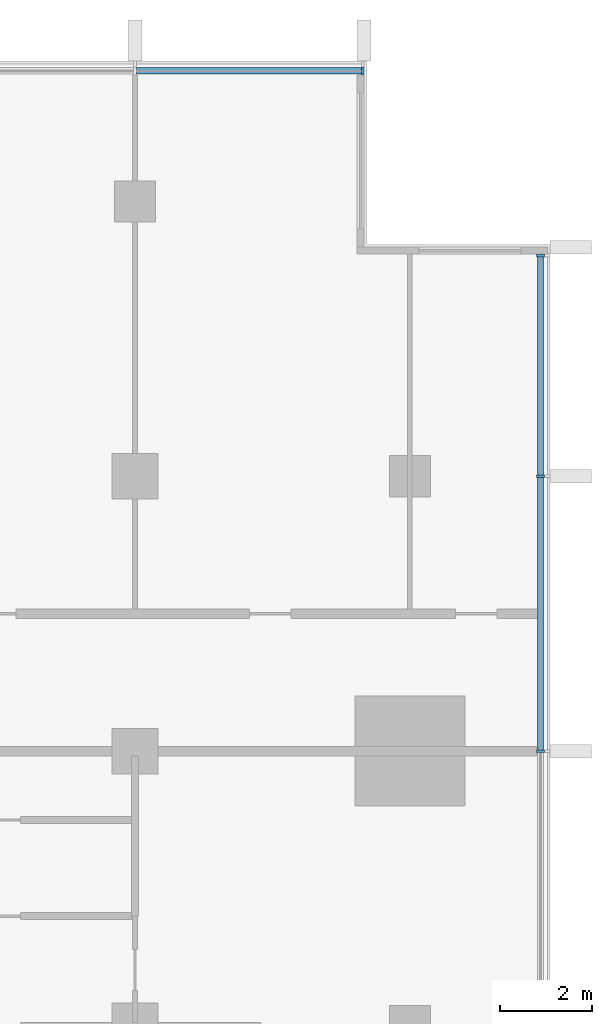
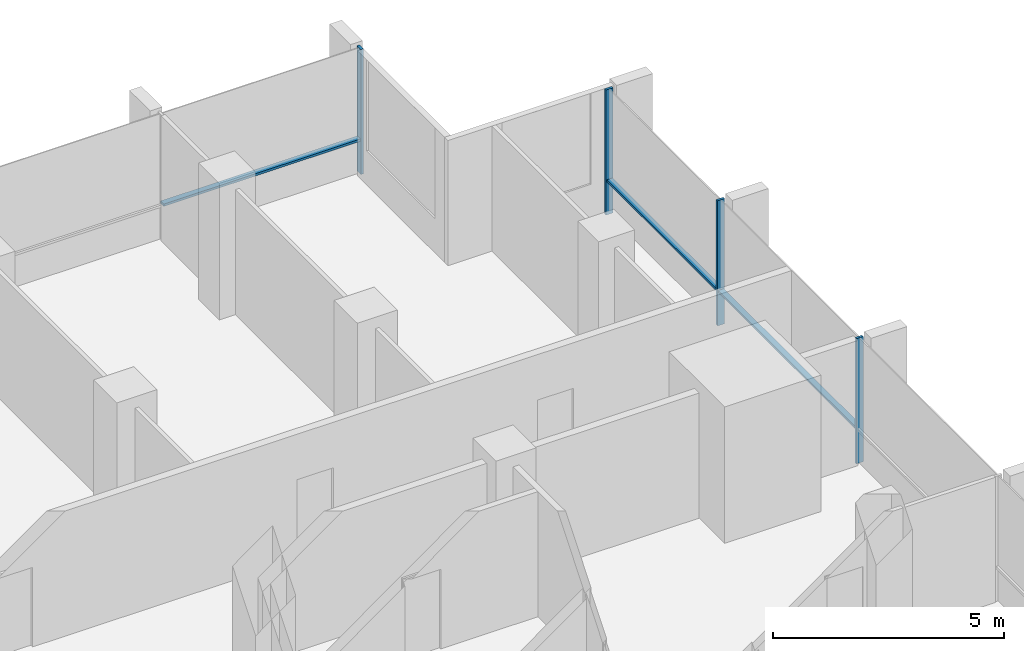
# One storey, part 5 of 16: 7 members, 2 elements without a shape of their own.
"""IFC4 building model written with IfcOpenShell, lengths in metres."""

from ifc_helpers import new_model, si_unit, direction, frame, origin, origin_2d, place, context, subcontext, project, spatial, rectangle, extrude, material, material_profile, profile_set, type_object, element, aggregate, save


model = new_model("IFC4")

# Units and contexts
model_context = context("Model", 3, precision=1e-05, world=origin(), true_north=direction((0.0, 1.0)))
body_context = subcontext(model_context, "Body", "Model", "MODEL_VIEW")
ifc_project = project(units=[si_unit("LENGTHUNIT", "METRE"), si_unit("AREAUNIT", "SQUARE_METRE"), si_unit("VOLUMEUNIT", "CUBIC_METRE"), si_unit("PLANEANGLEUNIT", "RADIAN"), si_unit("MASSUNIT", "GRAM", prefix="KILO")], contexts=[model_context])

# Site, building, storey
site_placement = place(None, origin())
site = spatial("IfcSite", under=ifc_project, at=site_placement, CompositionType="ELEMENT")
building_placement = place(site_placement, origin())
building = spatial("IfcBuilding", under=site, at=building_placement, Name="Finial Court Residences", CompositionType="ELEMENT")
storey_placement = place(building_placement, frame((0.0, 0.0, 188.89990234375)))
storey = spatial("IfcBuildingStorey", under=building, at=storey_placement, Name="L47", CompositionType="ELEMENT", Elevation=188.89990234375)

# Curtain wall, member
ifc_material = material(Name="Bronze anodised aluminium", Category="aluminium")
curtain_wall_type = type_object("IfcCurtainWallType", Name="Unitised curtain wall, upper zones", PredefinedType="NOTDEFINED", material=ifc_material)
curtain_wall_1_placement = place(storey_placement, origin())
curtain_wall_1 = element("IfcCurtainWall", 1, at=curtain_wall_1_placement, inside=storey, type_object=curtain_wall_type, Name="E-L47-CW-N3", PredefinedType="NOTDEFINED")
ifc_material_profile_1 = material_profile(ifc_material, rectangle(XDim=0.175048828125, YDim=0.06005859375, at=origin_2d()), Name="CW2 mullion 60 x 175")
ifc_profile_set_1 = profile_set([ifc_material_profile_1], Name="Bronze anodised aluminium")
member_type_1 = type_object("IfcMemberType", Name="CW2 mullion 60 x 175", PredefinedType="MULLION", material=ifc_profile_set_1)
member_1_placement = place(storey_placement, frame((15.469970703125, 22.35009765625, 0.0), z_axis=(0.0, 0.0, 1.0), x_axis=(0.0, 1.0, 0.0)))
member_1 = element("IfcMember", 2, at=member_1_placement, type_object=member_type_1, Name="CW2 mullion 3", PredefinedType="MULLION", context=body_context, shape_type="SweptSolid", body=[
    extrude(rectangle(XDim=0.175048828125, YDim=0.06005859375, at=origin_2d()), origin(), (0.0, 0.0, 1.0), 3.300048828125),
])

# Curtain wall, members
curtain_wall_2_placement = place(storey_placement, origin())
curtain_wall_2 = element("IfcCurtainWall", 3, at=curtain_wall_2_placement, inside=storey, type_object=curtain_wall_type, Name="E-L47-CW-E6", PredefinedType="NOTDEFINED")
member_2_placement = place(storey_placement, frame((19.35009765625, 7.5, 0.0), z_axis=(0.0, 0.0, 1.0), x_axis=(-1.0, 0.0, 0.0)))
member_2 = element("IfcMember", 4, at=member_2_placement, type_object=member_type_1, Name="CW2 mullion 3", PredefinedType="MULLION", context=body_context, shape_type="SweptSolid", body=[
    extrude(rectangle(XDim=0.175048828125, YDim=0.06005859375, at=origin_2d()), origin(), (0.0, 0.0, 1.0), 3.300048828125),
])
member_3_placement = place(storey_placement, frame((19.35009765625, 13.5, 0.0), z_axis=(0.0, 0.0, 1.0), x_axis=(-1.0, 0.0, 0.0)))
member_3 = element("IfcMember", 5, at=member_3_placement, type_object=member_type_1, Name="CW2 mullion 4", PredefinedType="MULLION", context=body_context, shape_type="SweptSolid", body=[
    extrude(rectangle(XDim=0.175048828125, YDim=0.06005859375, at=origin_2d()), origin(), (0.0, 0.0, 1.0), 3.300048828125),
])
member_4_placement = place(storey_placement, frame((19.35009765625, 18.320068359375, 0.0), z_axis=(0.0, 0.0, 1.0), x_axis=(-1.0, 0.0, 0.0)))
member_4 = element("IfcMember", 6, at=member_4_placement, type_object=member_type_1, Name="CW2 mullion 5", PredefinedType="MULLION", context=body_context, shape_type="SweptSolid", body=[
    extrude(rectangle(XDim=0.175048828125, YDim=0.06005859375, at=origin_2d()), origin(), (0.0, 0.0, 1.0), 3.300048828125),
])

# Member
ifc_material_profile_2 = material_profile(ifc_material, rectangle(XDim=0.139892578125, YDim=0.06005859375, at=origin_2d()), Name="CW2 transom 60 x 140")
ifc_profile_set_2 = profile_set([ifc_material_profile_2], Name="Bronze anodised aluminium")
member_type_2 = type_object("IfcMemberType", Name="CW2 transom 60 x 140", PredefinedType="USERDEFINED", material=ifc_profile_set_2)
member_5_placement = place(storey_placement, frame((10.530029296875, 22.35009765625, 0.900146484375), z_axis=(1.0, 0.0, 0.0), x_axis=(0.0, 1.0, 0.0)))
member_5 = element("IfcMember", 7, at=member_5_placement, type_object=member_type_2, Name="CW2 transom 2.1", ObjectType="TRANSOM", PredefinedType="USERDEFINED", context=body_context, shape_type="SweptSolid", body=[
    extrude(rectangle(XDim=0.139892578125, YDim=0.06005859375, at=origin_2d()), origin(), (0.0, 0.0, 1.0), 4.909912109375),
])

aggregate(curtain_wall_1, [member_1, member_5])

member_6_placement = place(storey_placement, frame((19.35009765625, 7.530029296875, 0.900146484375), z_axis=(0.0, 1.0, 0.0), x_axis=(-1.0, 0.0, 0.0)))
member_6 = element("IfcMember", 8, at=member_6_placement, type_object=member_type_2, Name="CW2 transom 3.1", ObjectType="TRANSOM", PredefinedType="USERDEFINED", context=body_context, shape_type="SweptSolid", body=[
    extrude(rectangle(XDim=0.139892578125, YDim=0.06005859375, at=origin_2d()), origin(), (0.0, 0.0, 1.0), 5.93994140625),
])

member_7_placement = place(storey_placement, frame((19.35009765625, 13.530029296875, 0.900146484375), z_axis=(0.0, 1.0, 0.0), x_axis=(-1.0, 0.0, 0.0)))
member_7 = element("IfcMember", 9, at=member_7_placement, type_object=member_type_2, Name="CW2 transom 4.1", ObjectType="TRANSOM", PredefinedType="USERDEFINED", context=body_context, shape_type="SweptSolid", body=[
    extrude(rectangle(XDim=0.139892578125, YDim=0.06005859375, at=origin_2d()), origin(), (0.0, 0.0, 1.0), 4.760009765625),
])

aggregate(curtain_wall_2, [member_2, member_3, member_4, member_6, member_7])

save(model, "model.ifc")
